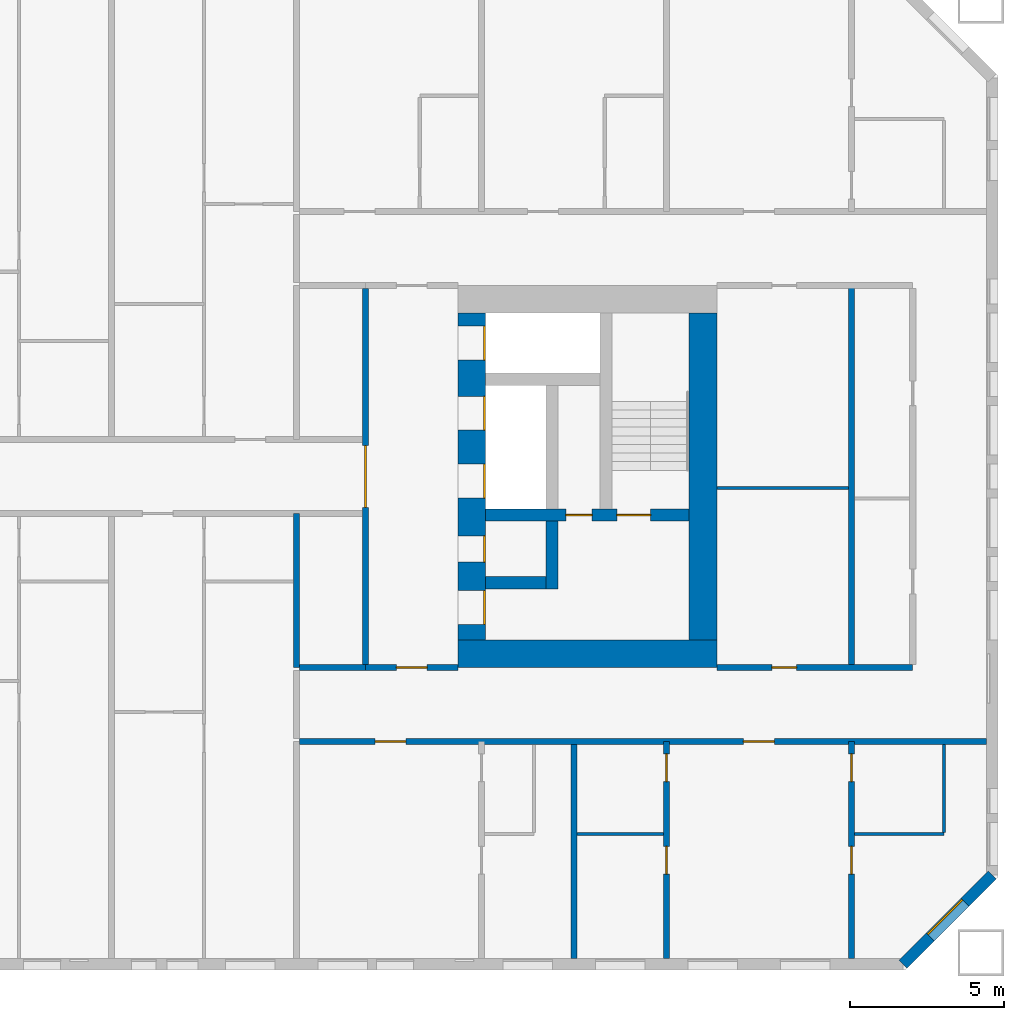
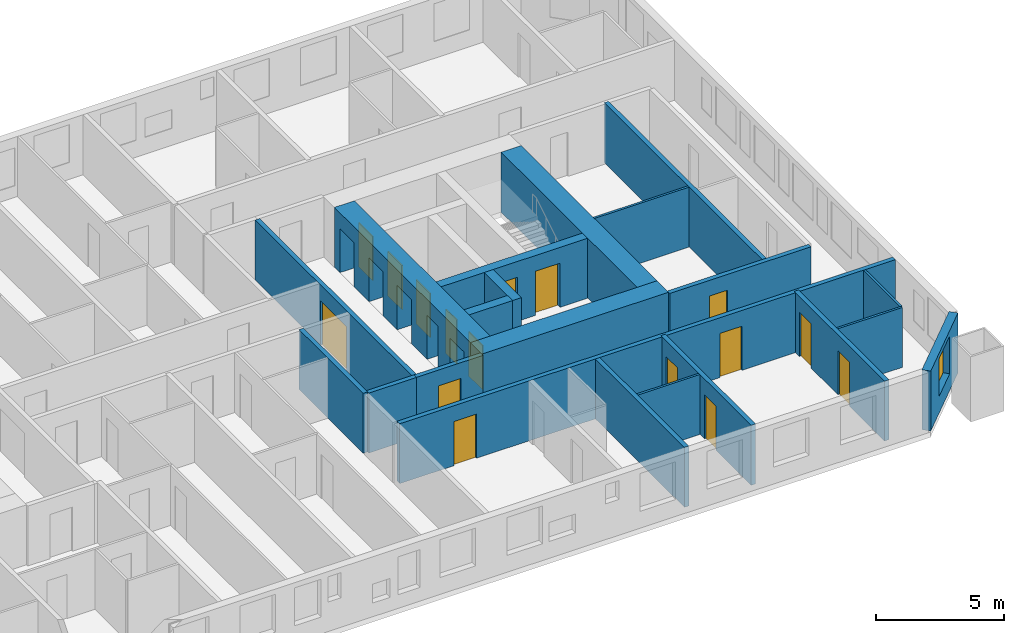
# One storey, part 13 of 18: 21 walls, 16 doors, 1 window, 17 openings.
"""IFC4 building model written with IfcOpenShell, lengths in metres."""

from ifc_helpers import new_model, si_unit, direction, frame, frame_2d, origin, place, context, subcontext, project, spatial, rectangle, extrude, material, layer, layer_set, type_object, element, fill, save


model = new_model("IFC4")

# Units and contexts
model_context = context("Model", 3, precision=1e-05, world=origin(), true_north=direction((0.0, 1.0)))
body_context = subcontext(model_context, "Body", "Model", "MODEL_VIEW")
ifc_project = project(units=[si_unit("LENGTHUNIT", "METRE"), si_unit("AREAUNIT", "SQUARE_METRE"), si_unit("VOLUMEUNIT", "CUBIC_METRE"), si_unit("PLANEANGLEUNIT", "RADIAN"), si_unit("MASSUNIT", "GRAM", prefix="KILO")], contexts=[model_context])

# Site, building, storey
site_placement = place(None, origin())
site = spatial("IfcSite", under=ifc_project, at=site_placement, CompositionType="ELEMENT")
building_placement = place(site_placement, origin())
building = spatial("IfcBuilding", under=site, at=building_placement, Name="Tuart Gate Housing", CompositionType="ELEMENT")
storey_placement = place(building_placement, frame((0.0, 0.0, 31.89990234375)))
storey = spatial("IfcBuildingStorey", under=building, at=storey_placement, Name="L08", CompositionType="ELEMENT", Elevation=31.89990234375)

# Wall, opening, window
ifc_material_1 = material(Name="Brick", Category="masonry")
ifc_layer_1 = layer(ifc_material_1, 0.360107421875)
ifc_layer_set_1 = layer_set([ifc_layer_1], Name="Brick pier and spandrel wall 360")
wall_type_1 = type_object("IfcWallType", Name="Brick pier and spandrel wall 360", PredefinedType="STANDARD", material=ifc_layer_set_1)
wall_1_placement = place(storey_placement, frame((174.67529296875, 54.179931640625, 0.0), z_axis=(0.0, 0.0, 1.0), x_axis=(0.707106781187, 0.707106781187, 0.0)))
wall_1 = element("IfcWall", 1, at=wall_1_placement, inside=storey, type_object=wall_type_1, Name="External wall B-SE L08", PredefinedType="STANDARD", context=body_context, shape_type="SweptSolid", body=[
    extrude(rectangle(XDim=4.09375, YDim=0.360107421875, at=frame_2d((2.046875, 0.0))), origin(), (0.0, 0.0, 1.0), 2.85009765625),
])
opening_1_placement = place(wall_1_placement, frame((1.2470703125, 0.0, 0.800048828125)))
opening_1 = element("IfcOpeningElement", 2, at=opening_1_placement, cuts=wall_1, Name="Opening W1", PredefinedType="OPENING", context=body_context, shape_type="SweptSolid", body=[
    extrude(rectangle(XDim=1.60009765625, YDim=1.800048828125, at=frame_2d((0.800048828125, 0.89990234375))), frame((0.0, 0.18994140625, 0.0), z_axis=(0.0, -1.0, 0.0), x_axis=(1.0, 0.0, 0.0)), (0.0, 0.0, 1.0), 0.380126953125),
])
ifc_material_2 = material(Name="Aluminium frame with clear glass", Category="aluminium")
window_type = type_object("IfcWindowType", Name="Punched window 1600 x 1800", PartitioningType="SINGLE_PANEL", PredefinedType="WINDOW", material=ifc_material_2)
window_placement = place(opening_1_placement, origin())
window = element("IfcWindow", 3, at=window_placement, inside=storey, type_object=window_type, Name="Window W1", OverallHeight=1.800048828125, OverallWidth=1.60009765625, PartitioningType="SINGLE_PANEL", PredefinedType="WINDOW", context=body_context, shape_type="SweptSolid", body=[
    extrude(rectangle(XDim=1.60009765625, YDim=1.800048828125, at=frame_2d((0.800048828125, 0.89990234375))), frame((0.0, 0.150146484375, 0.0), z_axis=(0.0, -1.0, 0.0), x_axis=(1.0, 0.0, 0.0)), (0.0, 0.0, 1.0), 0.06005859375),
])
fill(opening_1, window)

# Wall, openings, doors
ifc_material_3 = material(Name="Concrete C60", Category="concrete")
ifc_layer_2 = layer(ifc_material_3, 0.39990234375)
ifc_layer_set_2 = layer_set([ifc_layer_2], Name="Core wall 400 C60")
wall_type_2 = type_object("IfcWallType", Name="Core wall 400 C60", PredefinedType="SHEAR", material=ifc_layer_set_2)
wall_2_placement = place(storey_placement, frame((161.139892578125, 68.75, 0.0), z_axis=(0.0, 0.0, 1.0), x_axis=(1.0, 0.0, 0.0)))
wall_2 = element("IfcWall", 4, at=wall_2_placement, inside=storey, type_object=wall_type_2, Name="Core wall BK.2", PredefinedType="SHEAR", context=body_context, shape_type="SweptSolid", body=[
    extrude(rectangle(XDim=6.60009765625, YDim=0.39990234375, at=frame_2d((3.300048828125, 0.0))), origin(), (0.0, 0.0, 1.0), 2.85009765625),
])
opening_2_placement = place(wall_2_placement, frame((4.25, 0.0, 0.0)))
opening_2 = element("IfcOpeningElement", 5, at=opening_2_placement, cuts=wall_2, Name="Opening D568", PredefinedType="OPENING", context=body_context, shape_type="SweptSolid", body=[
    extrude(rectangle(XDim=1.10009765625, YDim=2.10009765625, at=frame_2d((0.550048828125, 1.050048828125))), frame((0.0, 0.2099609375, 0.0), z_axis=(0.0, -1.0, 0.0), x_axis=(1.0, 0.0, 0.0)), (0.0, 0.0, 1.0), 0.419921875),
])
opening_3_placement = place(wall_2_placement, frame((2.60009765625, 0.0, 0.0)))
opening_3 = element("IfcOpeningElement", 6, at=opening_3_placement, cuts=wall_2, Name="Opening D567", PredefinedType="OPENING", context=body_context, shape_type="SweptSolid", body=[
    extrude(rectangle(XDim=0.85009765625, YDim=2.10009765625, at=frame_2d((0.425048828125, 1.050048828125))), frame((0.0, 0.2099609375, 0.0), z_axis=(0.0, -1.0, 0.0), x_axis=(1.0, 0.0, 0.0)), (0.0, 0.0, 1.0), 0.419921875),
])
ifc_material_4 = material(Name="Steel fire door", Category="steel")
door_type_1 = type_object("IfcDoorType", Name="Riser door 850 x 2100", OperationType="SINGLE_SWING_LEFT", PredefinedType="DOOR", material=ifc_material_4)
door_1_placement = place(opening_3_placement, origin())
door_1 = element("IfcDoor", 7, at=door_1_placement, inside=storey, type_object=door_type_1, Name="Service room door BK.W1", OperationType="SINGLE_SWING_LEFT", OverallHeight=2.10009765625, OverallWidth=0.85009765625, PredefinedType="DOOR", context=body_context, shape_type="SweptSolid", body=[
    extrude(rectangle(XDim=0.85009765625, YDim=2.10009765625, at=frame_2d((0.425048828125, 1.050048828125))), frame((0.0, 0.02490234375, 0.0), z_axis=(0.0, -1.0, 0.0), x_axis=(1.0, 0.0, 0.0)), (0.0, 0.0, 1.0), 0.050048828125),
])
fill(opening_3, door_1)
ifc_material_5 = material(Name="Steel fire door", Category="steel")
door_type_2 = type_object("IfcDoorType", Name="Stair door 1100 x 2100", OperationType="SINGLE_SWING_LEFT", PredefinedType="DOOR", material=ifc_material_5)
door_2_placement = place(opening_2_placement, origin())
door_2 = element("IfcDoor", 8, at=door_2_placement, inside=storey, type_object=door_type_2, Name="Stair door BK.SD", OperationType="SINGLE_SWING_LEFT", OverallHeight=2.10009765625, OverallWidth=1.10009765625, PredefinedType="DOOR", context=body_context, shape_type="SweptSolid", body=[
    extrude(rectangle(XDim=1.10009765625, YDim=2.10009765625, at=frame_2d((0.550048828125, 1.050048828125))), frame((0.0, 0.02490234375, 0.0), z_axis=(0.0, -1.0, 0.0), x_axis=(1.0, 0.0, 0.0)), (0.0, 0.0, 1.0), 0.050048828125),
])
fill(opening_2, door_2)

# Walls
wall_3_placement = place(storey_placement, frame((161.139892578125, 66.550048828125, 0.0), z_axis=(0.0, 0.0, 1.0), x_axis=(1.0, 0.0, 0.0)))
element("IfcWall", 9, at=wall_3_placement, inside=storey, type_object=wall_type_2, Name="Core wall BK.3", PredefinedType="SHEAR", context=body_context, shape_type="SweptSolid", body=[
    extrude(rectangle(XDim=1.9501953125, YDim=0.39990234375, at=frame_2d((0.97509765625, 0.0))), origin(), (0.0, 0.0, 1.0), 2.85009765625),
])
wall_4_placement = place(storey_placement, frame((163.2900390625, 68.550048828125, 0.0), z_axis=(0.0, 0.0, 1.0), x_axis=(0.0, -1.0, 0.0)))
element("IfcWall", 10, at=wall_4_placement, inside=storey, type_object=wall_type_2, Name="Core wall BK.5", PredefinedType="SHEAR", context=body_context, shape_type="SweptSolid", body=[
    extrude(rectangle(XDim=2.199951171875, YDim=0.39990234375, at=frame_2d((1.10009765625, 0.0))), origin(), (0.0, 0.0, 1.0), 2.85009765625),
])

# Wall, openings, doors
ifc_material_6 = material(Name="Concrete C60", Category="concrete")
ifc_layer_3 = layer(ifc_material_6, 0.89990234375)
ifc_layer_set_3 = layer_set([ifc_layer_3], Name="Core wall 900 C60")
wall_type_3 = type_object("IfcWallType", Name="Core wall 900 C60", PredefinedType="SHEAR", material=ifc_layer_set_3)
wall_5_placement = place(storey_placement, frame((160.68994140625, 75.300048828125, 0.0), z_axis=(0.0, 0.0, 1.0), x_axis=(0.0, -1.0, 0.0)))
wall_5 = element("IfcWall", 11, at=wall_5_placement, inside=storey, type_object=wall_type_3, Name="Core wall BK front", PredefinedType="SHEAR", context=body_context, shape_type="SweptSolid", body=[
    extrude(rectangle(XDim=10.60009765625, YDim=0.89990234375, at=frame_2d((5.300048828125, 0.0))), origin(), (0.0, 0.0, 1.0), 2.85009765625),
])
opening_4_placement = place(wall_5_placement, frame((0.425048828125, 0.0, 0.0)))
opening_4 = element("IfcOpeningElement", 12, at=opening_4_placement, cuts=wall_5, Name="Opening LD-FB2", PredefinedType="OPENING", context=body_context, shape_type="SweptSolid", body=[
    extrude(rectangle(XDim=1.10009765625, YDim=2.10009765625, at=frame_2d((0.550048828125, 1.050048828125))), frame((0.0, 0.4599609375, 0.0), z_axis=(0.0, -1.0, 0.0), x_axis=(1.0, 0.0, 0.0)), (0.0, 0.0, 1.0), 0.919921875),
])
opening_5_placement = place(wall_5_placement, frame((2.699951171875, 0.0, 0.0)))
opening_5 = element("IfcOpeningElement", 13, at=opening_5_placement, cuts=wall_5, Name="Opening LD-LB3", PredefinedType="OPENING", context=body_context, shape_type="SweptSolid", body=[
    extrude(rectangle(XDim=1.10009765625, YDim=2.10009765625, at=frame_2d((0.550048828125, 1.050048828125))), frame((0.0, 0.4599609375, 0.0), z_axis=(0.0, -1.0, 0.0), x_axis=(1.0, 0.0, 0.0)), (0.0, 0.0, 1.0), 0.919921875),
])
opening_6_placement = place(wall_5_placement, frame((4.89990234375, 0.0, 0.0)))
opening_6 = element("IfcOpeningElement", 14, at=opening_6_placement, cuts=wall_5, Name="Opening LD-LB4", PredefinedType="OPENING", context=body_context, shape_type="SweptSolid", body=[
    extrude(rectangle(XDim=1.10009765625, YDim=2.10009765625, at=frame_2d((0.550048828125, 1.050048828125))), frame((0.0, 0.4599609375, 0.0), z_axis=(0.0, -1.0, 0.0), x_axis=(1.0, 0.0, 0.0)), (0.0, 0.0, 1.0), 0.919921875),
])
opening_7_placement = place(wall_5_placement, frame((9.0, 0.0, 0.0)))
opening_7 = element("IfcOpeningElement", 15, at=opening_7_placement, cuts=wall_5, Name="Opening D560", PredefinedType="OPENING", context=body_context, shape_type="SweptSolid", body=[
    extrude(rectangle(XDim=1.10009765625, YDim=2.10009765625, at=frame_2d((0.550048828125, 1.050048828125))), frame((0.0, 0.4599609375, 0.0), z_axis=(0.0, -1.0, 0.0), x_axis=(1.0, 0.0, 0.0)), (0.0, 0.0, 1.0), 0.919921875),
])
opening_8_placement = place(wall_5_placement, frame((7.22509765625, 0.0, 0.0)))
opening_8 = element("IfcOpeningElement", 16, at=opening_8_placement, cuts=wall_5, Name="Opening D561", PredefinedType="OPENING", context=body_context, shape_type="SweptSolid", body=[
    extrude(rectangle(XDim=0.85009765625, YDim=2.10009765625, at=frame_2d((0.425048828125, 1.050048828125))), frame((0.0, 0.4599609375, 0.0), z_axis=(0.0, -1.0, 0.0), x_axis=(1.0, 0.0, 0.0)), (0.0, 0.0, 1.0), 0.919921875),
])
ifc_material_7 = material(Name="Stainless steel", Category="steel")
door_type_3 = type_object("IfcDoorType", Name="Landing door 1100 x 2100", OperationType="DOUBLE_DOOR_SLIDING", PredefinedType="DOOR", material=ifc_material_7)
door_3_placement = place(opening_4_placement, origin())
door_3 = element("IfcDoor", 17, at=door_3_placement, inside=storey, type_object=door_type_3, Name="Lift landing door FB2", OperationType="DOUBLE_DOOR_SLIDING", OverallHeight=2.10009765625, OverallWidth=1.10009765625, PredefinedType="DOOR", context=body_context, shape_type="SweptSolid", body=[
    extrude(rectangle(XDim=1.10009765625, YDim=2.10009765625, at=frame_2d((0.550048828125, 1.050048828125))), frame((0.0, 0.43505859375, 0.0), z_axis=(0.0, -1.0, 0.0), x_axis=(1.0, 0.0, 0.0)), (0.0, 0.0, 1.0), 0.050048828125),
])
fill(opening_4, door_3)
door_4_placement = place(opening_5_placement, origin())
door_4 = element("IfcDoor", 18, at=door_4_placement, inside=storey, type_object=door_type_3, Name="Lift landing door LB3", OperationType="DOUBLE_DOOR_SLIDING", OverallHeight=2.10009765625, OverallWidth=1.10009765625, PredefinedType="DOOR", context=body_context, shape_type="SweptSolid", body=[
    extrude(rectangle(XDim=1.10009765625, YDim=2.10009765625, at=frame_2d((0.550048828125, 1.050048828125))), frame((0.0, 0.43505859375, 0.0), z_axis=(0.0, -1.0, 0.0), x_axis=(1.0, 0.0, 0.0)), (0.0, 0.0, 1.0), 0.050048828125),
])
fill(opening_5, door_4)
door_5_placement = place(opening_6_placement, origin())
door_5 = element("IfcDoor", 19, at=door_5_placement, inside=storey, type_object=door_type_3, Name="Lift landing door LB4", OperationType="DOUBLE_DOOR_SLIDING", OverallHeight=2.10009765625, OverallWidth=1.10009765625, PredefinedType="DOOR", context=body_context, shape_type="SweptSolid", body=[
    extrude(rectangle(XDim=1.10009765625, YDim=2.10009765625, at=frame_2d((0.550048828125, 1.050048828125))), frame((0.0, 0.43505859375, 0.0), z_axis=(0.0, -1.0, 0.0), x_axis=(1.0, 0.0, 0.0)), (0.0, 0.0, 1.0), 0.050048828125),
])
fill(opening_6, door_5)
ifc_material_8 = material(Name="Steel fire door", Category="steel")
door_type_4 = type_object("IfcDoorType", Name="Lobby door 1100 x 2100", OperationType="SINGLE_SWING_LEFT", PredefinedType="DOOR", material=ifc_material_8)
door_6_placement = place(opening_7_placement, origin())
door_6 = element("IfcDoor", 20, at=door_6_placement, inside=storey, type_object=door_type_4, Name="Lobby entry door BK.EN", OperationType="SINGLE_SWING_LEFT", OverallHeight=2.10009765625, OverallWidth=1.10009765625, PredefinedType="DOOR", context=body_context, shape_type="SweptSolid", body=[
    extrude(rectangle(XDim=1.10009765625, YDim=2.10009765625, at=frame_2d((0.550048828125, 1.050048828125))), frame((0.0, 0.43505859375, 0.0), z_axis=(0.0, -1.0, 0.0), x_axis=(1.0, 0.0, 0.0)), (0.0, 0.0, 1.0), 0.050048828125),
])
fill(opening_7, door_6)
ifc_material_9 = material(Name="Steel fire door", Category="steel")
door_type_5 = type_object("IfcDoorType", Name="Service door 850 x 2100", OperationType="SINGLE_SWING_LEFT", PredefinedType="DOOR", material=ifc_material_9)
door_7_placement = place(opening_8_placement, origin())
door_7 = element("IfcDoor", 21, at=door_7_placement, inside=storey, type_object=door_type_5, Name="Service room door BK.T1", OperationType="SINGLE_SWING_LEFT", OverallHeight=2.10009765625, OverallWidth=0.85009765625, PredefinedType="DOOR", context=body_context, shape_type="SweptSolid", body=[
    extrude(rectangle(XDim=0.85009765625, YDim=2.10009765625, at=frame_2d((0.425048828125, 1.050048828125))), frame((0.0, 0.43505859375, 0.0), z_axis=(0.0, -1.0, 0.0), x_axis=(1.0, 0.0, 0.0)), (0.0, 0.0, 1.0), 0.050048828125),
])
fill(opening_8, door_7)

# Walls
wall_6_placement = place(storey_placement, frame((168.18994140625, 75.300048828125, 0.0), z_axis=(0.0, 0.0, 1.0), x_axis=(0.0, -1.0, 0.0)))
element("IfcWall", 22, at=wall_6_placement, inside=storey, type_object=wall_type_3, Name="Core wall BK back", PredefinedType="SHEAR", context=body_context, shape_type="SweptSolid", body=[
    extrude(rectangle(XDim=10.60009765625, YDim=0.89990234375, at=frame_2d((5.300048828125, 0.0))), origin(), (0.0, 0.0, 1.0), 2.85009765625),
])
wall_7_placement = place(storey_placement, frame((160.239990234375, 64.25, 0.0), z_axis=(0.0, 0.0, 1.0), x_axis=(1.0, 0.0, 0.0)))
element("IfcWall", 23, at=wall_7_placement, inside=storey, type_object=wall_type_3, Name="Core wall BK north", PredefinedType="SHEAR", context=body_context, shape_type="SweptSolid", body=[
    extrude(rectangle(XDim=8.39990234375, YDim=0.89990234375, at=frame_2d((4.199951171875, 0.0))), origin(), (0.0, 0.0, 1.0), 2.85009765625),
])

# Wall, openings, doors
ifc_material_10 = material(Name="Concrete masonry 15 MPa", Category="masonry")
ifc_layer_4 = layer(ifc_material_10, 0.199951171875)
ifc_layer_set_4 = layer_set([ifc_layer_4], Name="Corridor wall masonry 200")
wall_type_4 = type_object("IfcWallType", Name="Corridor wall masonry 200", PredefinedType="PARTITIONING", material=ifc_layer_set_4)
wall_8_placement = place(storey_placement, frame((155.10009765625, 61.39990234375, 0.0), z_axis=(0.0, 0.0, 1.0), x_axis=(1.0, 0.0, 0.0)))
wall_8 = element("IfcWall", 24, at=wall_8_placement, inside=storey, type_object=wall_type_4, Name="Corridor wall masonry 200", PredefinedType="PARTITIONING", context=body_context, shape_type="SweptSolid", body=[
    extrude(rectangle(XDim=22.289794921875, YDim=0.199951171875, at=frame_2d((11.14501953125, 0.0))), origin(), (0.0, 0.0, 1.0), 2.85009765625),
])
opening_9_placement = place(wall_8_placement, frame((2.449951171875, 0.0, 0.0)))
opening_9 = element("IfcOpeningElement", 25, at=opening_9_placement, cuts=wall_8, Name="Opening D578", PredefinedType="OPENING", context=body_context, shape_type="SweptSolid", body=[
    extrude(rectangle(XDim=1.0, YDim=2.10009765625, at=frame_2d((0.5, 1.050048828125))), frame((0.0, 0.10986328125, 0.0), z_axis=(0.0, -1.0, 0.0), x_axis=(1.0, 0.0, 0.0)), (0.0, 0.0, 1.0), 0.219970703125),
])
opening_10_placement = place(wall_8_placement, frame((14.39990234375, 0.0, 0.0)))
opening_10 = element("IfcOpeningElement", 26, at=opening_10_placement, cuts=wall_8, Name="Opening D579", PredefinedType="OPENING", context=body_context, shape_type="SweptSolid", body=[
    extrude(rectangle(XDim=1.0, YDim=2.10009765625, at=frame_2d((0.5, 1.050048828125))), frame((0.0, 0.10986328125, 0.0), z_axis=(0.0, -1.0, 0.0), x_axis=(1.0, 0.0, 0.0)), (0.0, 0.0, 1.0), 0.219970703125),
])
ifc_material_11 = material(Name="Timber door leaf in steel frame", Category="steel")
door_type_6 = type_object("IfcDoorType", Name="Flat entrance door 1000", OperationType="SINGLE_SWING_LEFT", PredefinedType="DOOR", material=ifc_material_11)
door_8_placement = place(opening_9_placement, frame((1.0, 0.0, 0.0), z_axis=(0.0, 0.0, 1.0), x_axis=(-1.0, 0.0, 0.0)))
door_8 = element("IfcDoor", 27, at=door_8_placement, inside=storey, type_object=door_type_6, Name="Flat entrance door", OperationType="SINGLE_SWING_LEFT", OverallHeight=2.10009765625, OverallWidth=1.0, PredefinedType="DOOR", context=body_context, shape_type="SweptSolid", body=[
    extrude(rectangle(XDim=1.0, YDim=2.10009765625, at=frame_2d((0.5, 1.050048828125))), frame((0.0, 0.025146484375, 0.0), z_axis=(0.0, -1.0, 0.0), x_axis=(1.0, 0.0, 0.0)), (0.0, 0.0, 1.0), 0.050048828125),
])
fill(opening_9, door_8)
ifc_material_12 = material(Name="Timber door leaf in steel frame", Category="steel")
door_type_7 = type_object("IfcDoorType", Name="Flat entrance door 1000 RH", OperationType="SINGLE_SWING_RIGHT", PredefinedType="DOOR", material=ifc_material_12)
door_9_placement = place(opening_10_placement, frame((1.0, 0.0, 0.0), z_axis=(0.0, 0.0, 1.0), x_axis=(-1.0, 0.0, 0.0)))
door_9 = element("IfcDoor", 28, at=door_9_placement, inside=storey, type_object=door_type_7, Name="Flat entrance door", OperationType="SINGLE_SWING_RIGHT", OverallHeight=2.10009765625, OverallWidth=1.0, PredefinedType="DOOR", context=body_context, shape_type="SweptSolid", body=[
    extrude(rectangle(XDim=1.0, YDim=2.10009765625, at=frame_2d((0.5, 1.050048828125))), frame((0.0, 0.025146484375, 0.0), z_axis=(0.0, -1.0, 0.0), x_axis=(1.0, 0.0, 0.0)), (0.0, 0.0, 1.0), 0.050048828125),
])
fill(opening_10, door_9)

# Wall
wall_9_placement = place(storey_placement, frame((155.10009765625, 63.800048828125, 0.0), z_axis=(0.0, 0.0, 1.0), x_axis=(1.0, 0.0, 0.0)))
element("IfcWall", 29, at=wall_9_placement, inside=storey, type_object=wall_type_4, Name="Corridor wall masonry 200", PredefinedType="PARTITIONING", context=body_context, shape_type="SweptSolid", body=[
    extrude(rectangle(XDim=2.139892578125, YDim=0.199951171875, at=frame_2d((1.06982421875, 0.0))), origin(), (0.0, 0.0, 1.0), 2.85009765625),
])

# Wall, opening, door
wall_10_placement = place(storey_placement, frame((168.639892578125, 63.800048828125, 0.0), z_axis=(0.0, 0.0, 1.0), x_axis=(1.0, 0.0, 0.0)))
wall_10 = element("IfcWall", 30, at=wall_10_placement, inside=storey, type_object=wall_type_4, Name="Corridor wall masonry 200", PredefinedType="PARTITIONING", context=body_context, shape_type="SweptSolid", body=[
    extrude(rectangle(XDim=6.35009765625, YDim=0.199951171875, at=frame_2d((3.175048828125, 0.0))), origin(), (0.0, 0.0, 1.0), 2.85009765625),
])
opening_11_placement = place(wall_10_placement, frame((1.780029296875, 0.0, 0.0)))
opening_11 = element("IfcOpeningElement", 31, at=opening_11_placement, cuts=wall_10, Name="Opening D571", PredefinedType="OPENING", context=body_context, shape_type="SweptSolid", body=[
    extrude(rectangle(XDim=0.800048828125, YDim=2.10009765625, at=frame_2d((0.39990234375, 1.050048828125))), frame((0.0, 0.10986328125, 0.0), z_axis=(0.0, -1.0, 0.0), x_axis=(1.0, 0.0, 0.0)), (0.0, 0.0, 1.0), 0.219970703125),
])
ifc_material_13 = material(Name="Timber door leaf in steel frame", Category="steel")
door_type_8 = type_object("IfcDoorType", Name="Store door 800", OperationType="SINGLE_SWING_LEFT", PredefinedType="DOOR", material=ifc_material_13)
door_10_placement = place(opening_11_placement, origin())
door_10 = element("IfcDoor", 32, at=door_10_placement, inside=storey, type_object=door_type_8, Name="Store door", OperationType="SINGLE_SWING_LEFT", OverallHeight=2.10009765625, OverallWidth=0.800048828125, PredefinedType="DOOR", context=body_context, shape_type="SweptSolid", body=[
    extrude(rectangle(XDim=0.800048828125, YDim=2.10009765625, at=frame_2d((0.39990234375, 1.050048828125))), frame((0.0, 0.02490234375, 0.0), z_axis=(0.0, -1.0, 0.0), x_axis=(1.0, 0.0, 0.0)), (0.0, 0.0, 1.0), 0.050048828125),
])
fill(opening_11, door_10)

ifc_material_14 = material(Name="Concrete masonry 15 MPa", Category="masonry")
ifc_layer_5 = layer(ifc_material_14, 0.199951171875)
ifc_layer_set_5 = layer_set([ifc_layer_5], Name="Enclosure wall masonry 200")
wall_type_5 = type_object("IfcWallType", Name="Enclosure wall masonry 200", PredefinedType="PARTITIONING", material=ifc_layer_set_5)
wall_11_placement = place(storey_placement, frame((157.239990234375, 63.800048828125, 0.0), z_axis=(0.0, 0.0, 1.0), x_axis=(1.0, 0.0, 0.0)))
wall_11 = element("IfcWall", 33, at=wall_11_placement, inside=storey, type_object=wall_type_5, Name="Enclosure wall masonry 200", PredefinedType="PARTITIONING", context=body_context, shape_type="SweptSolid", body=[
    extrude(rectangle(XDim=3.0, YDim=0.199951171875, at=frame_2d((1.5, 0.0))), origin(), (0.0, 0.0, 1.0), 2.85009765625),
])
opening_12_placement = place(wall_11_placement, frame((1.0, 0.0, 0.0)))
opening_12 = element("IfcOpeningElement", 34, at=opening_12_placement, cuts=wall_11, Name="Opening D570", PredefinedType="OPENING", context=body_context, shape_type="SweptSolid", body=[
    extrude(rectangle(XDim=1.0, YDim=2.10009765625, at=frame_2d((0.5, 1.050048828125))), frame((0.0, 0.10986328125, 0.0), z_axis=(0.0, -1.0, 0.0), x_axis=(1.0, 0.0, 0.0)), (0.0, 0.0, 1.0), 0.219970703125),
])
ifc_material_15 = material(Name="Timber door leaf in steel frame", Category="steel")
door_type_9 = type_object("IfcDoorType", Name="Fire door 1000 RH", OperationType="SINGLE_SWING_RIGHT", PredefinedType="DOOR", material=ifc_material_15)
door_11_placement = place(opening_12_placement, frame((1.0, 0.0, 0.0), z_axis=(0.0, 0.0, 1.0), x_axis=(-1.0, 0.0, 0.0)))
door_11 = element("IfcDoor", 35, at=door_11_placement, inside=storey, type_object=door_type_9, Name="Fire door", OperationType="SINGLE_SWING_RIGHT", OverallHeight=2.10009765625, OverallWidth=1.0, PredefinedType="DOOR", context=body_context, shape_type="SweptSolid", body=[
    extrude(rectangle(XDim=1.0, YDim=2.10009765625, at=frame_2d((0.5, 1.050048828125))), frame((0.0, 0.025146484375, 0.0), z_axis=(0.0, -1.0, 0.0), x_axis=(1.0, 0.0, 0.0)), (0.0, 0.0, 1.0), 0.050048828125),
])
fill(opening_12, door_11)

ifc_material_16 = material(Name="Plasterboard partition")
ifc_layer_6 = layer(ifc_material_16, 0.199951171875)
ifc_layer_set_6 = layer_set([ifc_layer_6], Name="Lobby wall 200")
wall_type_6 = type_object("IfcWallType", Name="Lobby wall 200", PredefinedType="PARTITIONING", material=ifc_layer_set_6)
wall_12_placement = place(storey_placement, frame((157.239990234375, 63.89990234375, 0.0), z_axis=(0.0, 0.0, 1.0), x_axis=(0.0, 1.0, 0.0)))
wall_12 = element("IfcWall", 36, at=wall_12_placement, inside=storey, type_object=wall_type_6, Name="Lift lobby wall BK", PredefinedType="PARTITIONING", context=body_context, shape_type="SweptSolid", body=[
    extrude(rectangle(XDim=12.2001953125, YDim=0.199951171875, at=frame_2d((6.10009765625, 0.0))), origin(), (0.0, 0.0, 1.0), 2.85009765625),
])
opening_13_placement = place(wall_12_placement, frame((5.10009765625, 0.0, 0.0)))
opening_13 = element("IfcOpeningElement", 37, at=opening_13_placement, cuts=wall_12, Name="Opening D559", PredefinedType="OPENING", context=body_context, shape_type="SweptSolid", body=[
    extrude(rectangle(XDim=2.0, YDim=2.10009765625, at=frame_2d((1.0, 1.050048828125))), frame((0.0, 0.10986328125, 0.0), z_axis=(0.0, -1.0, 0.0), x_axis=(1.0, 0.0, 0.0)), (0.0, 0.0, 1.0), 0.219970703125),
])
ifc_material_17 = material(Name="Steel fire door", Category="steel")
door_type_10 = type_object("IfcDoorType", Name="Smoke door 2000 x 2100", OperationType="DOUBLE_DOOR_SINGLE_SWING", PredefinedType="DOOR", material=ifc_material_17)
door_12_placement = place(opening_13_placement, frame((2.0, 0.0, 0.0), z_axis=(0.0, 0.0, 1.0), x_axis=(-1.0, 0.0, 0.0)))
door_12 = element("IfcDoor", 38, at=door_12_placement, inside=storey, type_object=door_type_10, Name="Lift lobby smoke door BK", OperationType="DOUBLE_DOOR_SINGLE_SWING", OverallHeight=2.10009765625, OverallWidth=2.0, PredefinedType="DOOR", context=body_context, shape_type="SweptSolid", body=[
    extrude(rectangle(XDim=2.0, YDim=2.10009765625, at=frame_2d((1.0, 1.050048828125))), frame((0.0, 0.025146484375, 0.0), z_axis=(0.0, -1.0, 0.0), x_axis=(1.0, 0.0, 0.0)), (0.0, 0.0, 1.0), 0.050048828125),
])
fill(opening_13, door_12)

# Walls
ifc_material_18 = material(Name="Gypsum board on steel studs", Category="steel")
ifc_layer_7 = layer(ifc_material_18, 0.10009765625)
ifc_layer_set_7 = layer_set([ifc_layer_7], Name="Partition 100")
wall_type_7 = type_object("IfcWallType", Name="Partition 100", PredefinedType="PARTITIONING", material=ifc_layer_set_7)
wall_13_placement = place(storey_placement, frame((164.10009765625, 58.39990234375, 0.0), z_axis=(0.0, 0.0, 1.0), x_axis=(1.0, 0.0, 0.0)))
element("IfcWall", 39, at=wall_13_placement, inside=storey, type_object=wall_type_7, Name="Partition 100", PredefinedType="PARTITIONING", context=body_context, shape_type="SweptSolid", body=[
    extrude(rectangle(XDim=2.7998046875, YDim=0.10009765625, at=frame_2d((1.39990234375, 0.0))), origin(), (0.0, 0.0, 1.0), 2.85009765625),
])
wall_14_placement = place(storey_placement, frame((173.10009765625, 58.39990234375, 0.0), z_axis=(0.0, 0.0, 1.0), x_axis=(1.0, 0.0, 0.0)))
element("IfcWall", 40, at=wall_14_placement, inside=storey, type_object=wall_type_7, Name="Partition 100", PredefinedType="PARTITIONING", context=body_context, shape_type="SweptSolid", body=[
    extrude(rectangle(XDim=2.89990234375, YDim=0.10009765625, at=frame_2d((1.449951171875, 0.0))), origin(), (0.0, 0.0, 1.0), 2.85009765625),
])
wall_15_placement = place(storey_placement, frame((168.639892578125, 69.6298828125, 0.0), z_axis=(0.0, 0.0, 1.0), x_axis=(1.0, 0.0, 0.0)))
element("IfcWall", 41, at=wall_15_placement, inside=storey, type_object=wall_type_7, Name="Partition 100", PredefinedType="PARTITIONING", context=body_context, shape_type="SweptSolid", body=[
    extrude(rectangle(XDim=4.260009765625, YDim=0.10009765625, at=frame_2d((2.1298828125, 0.0))), origin(), (0.0, 0.0, 1.0), 2.85009765625),
])
wall_16_placement = place(storey_placement, frame((176.0, 58.449951171875, 0.0), z_axis=(0.0, 0.0, 1.0), x_axis=(0.0, 1.0, 0.0)))
element("IfcWall", 42, at=wall_16_placement, inside=storey, type_object=wall_type_7, Name="Partition 100", PredefinedType="PARTITIONING", context=body_context, shape_type="SweptSolid", body=[
    extrude(rectangle(XDim=2.85009765625, YDim=0.10009765625, at=frame_2d((1.425048828125, 0.0))), origin(), (0.0, 0.0, 1.0), 2.85009765625),
])
ifc_material_19 = material(Name="Concrete C40", Category="concrete")
ifc_layer_8 = layer(ifc_material_19, 0.199951171875)
ifc_layer_set_8 = layer_set([ifc_layer_8], Name="Party wall concrete C40 200")
wall_type_8 = type_object("IfcWallType", Name="Party wall concrete C40 200", PredefinedType="SOLIDWALL", material=ifc_layer_set_8)
wall_17_placement = place(storey_placement, frame((155.0, 63.800048828125, 0.0), z_axis=(0.0, 0.0, 1.0), x_axis=(0.0, 1.0, 0.0)))
element("IfcWall", 43, at=wall_17_placement, inside=storey, type_object=wall_type_8, Name="Party wall concrete C40 200", PredefinedType="SOLIDWALL", context=body_context, shape_type="SweptSolid", body=[
    extrude(rectangle(XDim=5.0, YDim=0.199951171875, at=frame_2d((2.5, 0.0))), origin(), (0.0, 0.0, 1.0), 2.85009765625),
])

# Wall, openings, doors
wall_18_placement = place(storey_placement, frame((167.0, 54.360107421875, 0.0), z_axis=(0.0, 0.0, 1.0), x_axis=(0.0, 1.0, 0.0)))
wall_18 = element("IfcWall", 44, at=wall_18_placement, inside=storey, type_object=wall_type_8, Name="Party wall concrete C40 200", PredefinedType="SOLIDWALL", context=body_context, shape_type="SweptSolid", body=[
    extrude(rectangle(XDim=7.039794921875, YDim=0.199951171875, at=frame_2d((3.52001953125, 0.0))), origin(), (0.0, 0.0, 1.0), 2.85009765625),
])
opening_14_placement = place(wall_18_placement, frame((2.739990234375, 0.0, 0.0)))
opening_14 = element("IfcOpeningElement", 45, at=opening_14_placement, cuts=wall_18, Name="Opening D587", PredefinedType="OPENING", context=body_context, shape_type="SweptSolid", body=[
    extrude(rectangle(XDim=0.89990234375, YDim=2.10009765625, at=frame_2d((0.449951171875, 1.050048828125))), frame((0.0, 0.10986328125, 0.0), z_axis=(0.0, -1.0, 0.0), x_axis=(1.0, 0.0, 0.0)), (0.0, 0.0, 1.0), 0.219970703125),
])
opening_15_placement = place(wall_18_placement, frame((5.739990234375, 0.0, 0.0)))
opening_15 = element("IfcOpeningElement", 46, at=opening_15_placement, cuts=wall_18, Name="Opening D586", PredefinedType="OPENING", context=body_context, shape_type="SweptSolid", body=[
    extrude(rectangle(XDim=0.89990234375, YDim=2.10009765625, at=frame_2d((0.449951171875, 1.050048828125))), frame((0.0, 0.10986328125, 0.0), z_axis=(0.0, -1.0, 0.0), x_axis=(1.0, 0.0, 0.0)), (0.0, 0.0, 1.0), 0.219970703125),
])
ifc_material_20 = material(Name="Timber door leaf in steel frame", Category="steel")
door_type_11 = type_object("IfcDoorType", Name="Bathroom door 900 RH", OperationType="SINGLE_SWING_RIGHT", PredefinedType="DOOR", material=ifc_material_20)
door_13_placement = place(opening_15_placement, origin())
door_13 = element("IfcDoor", 47, at=door_13_placement, inside=storey, type_object=door_type_11, Name="Bathroom door", OperationType="SINGLE_SWING_RIGHT", OverallHeight=2.10009765625, OverallWidth=0.89990234375, PredefinedType="DOOR", context=body_context, shape_type="SweptSolid", body=[
    extrude(rectangle(XDim=0.89990234375, YDim=2.10009765625, at=frame_2d((0.449951171875, 1.050048828125))), frame((0.0, 0.02490234375, 0.0), z_axis=(0.0, -1.0, 0.0), x_axis=(1.0, 0.0, 0.0)), (0.0, 0.0, 1.0), 0.050048828125),
])
fill(opening_15, door_13)
ifc_material_21 = material(Name="Timber door leaf in steel frame", Category="steel")
door_type_12 = type_object("IfcDoorType", Name="Internal door 900 RH", OperationType="SINGLE_SWING_RIGHT", PredefinedType="DOOR", material=ifc_material_21)
door_14_placement = place(opening_14_placement, origin())
door_14 = element("IfcDoor", 48, at=door_14_placement, inside=storey, type_object=door_type_12, Name="Internal door", OperationType="SINGLE_SWING_RIGHT", OverallHeight=2.10009765625, OverallWidth=0.89990234375, PredefinedType="DOOR", context=body_context, shape_type="SweptSolid", body=[
    extrude(rectangle(XDim=0.89990234375, YDim=2.10009765625, at=frame_2d((0.449951171875, 1.050048828125))), frame((0.0, 0.02490234375, 0.0), z_axis=(0.0, -1.0, 0.0), x_axis=(1.0, 0.0, 0.0)), (0.0, 0.0, 1.0), 0.050048828125),
])
fill(opening_14, door_14)

wall_19_placement = place(storey_placement, frame((173.0, 54.360107421875, 0.0), z_axis=(0.0, 0.0, 1.0), x_axis=(0.0, 1.0, 0.0)))
wall_19 = element("IfcWall", 49, at=wall_19_placement, inside=storey, type_object=wall_type_8, Name="Party wall concrete C40 200", PredefinedType="SOLIDWALL", context=body_context, shape_type="SweptSolid", body=[
    extrude(rectangle(XDim=7.039794921875, YDim=0.199951171875, at=frame_2d((3.52001953125, 0.0))), origin(), (0.0, 0.0, 1.0), 2.85009765625),
])
opening_16_placement = place(wall_19_placement, frame((2.739990234375, 0.0, 0.0)))
opening_16 = element("IfcOpeningElement", 50, at=opening_16_placement, cuts=wall_19, Name="Opening D589", PredefinedType="OPENING", context=body_context, shape_type="SweptSolid", body=[
    extrude(rectangle(XDim=0.89990234375, YDim=2.10009765625, at=frame_2d((0.449951171875, 1.050048828125))), frame((0.0, 0.10986328125, 0.0), z_axis=(0.0, -1.0, 0.0), x_axis=(1.0, 0.0, 0.0)), (0.0, 0.0, 1.0), 0.219970703125),
])
opening_17_placement = place(wall_19_placement, frame((5.739990234375, 0.0, 0.0)))
opening_17 = element("IfcOpeningElement", 51, at=opening_17_placement, cuts=wall_19, Name="Opening D588", PredefinedType="OPENING", context=body_context, shape_type="SweptSolid", body=[
    extrude(rectangle(XDim=0.89990234375, YDim=2.10009765625, at=frame_2d((0.449951171875, 1.050048828125))), frame((0.0, 0.10986328125, 0.0), z_axis=(0.0, -1.0, 0.0), x_axis=(1.0, 0.0, 0.0)), (0.0, 0.0, 1.0), 0.219970703125),
])
ifc_material_22 = material(Name="Timber door leaf in steel frame", Category="steel")
door_type_13 = type_object("IfcDoorType", Name="Bathroom door 900", OperationType="SINGLE_SWING_LEFT", PredefinedType="DOOR", material=ifc_material_22)
door_15_placement = place(opening_17_placement, frame((0.89990234375, 0.0, 0.0), z_axis=(0.0, 0.0, 1.0), x_axis=(-1.0, 0.0, 0.0)))
door_15 = element("IfcDoor", 52, at=door_15_placement, inside=storey, type_object=door_type_13, Name="Bathroom door", OperationType="SINGLE_SWING_LEFT", OverallHeight=2.10009765625, OverallWidth=0.89990234375, PredefinedType="DOOR", context=body_context, shape_type="SweptSolid", body=[
    extrude(rectangle(XDim=0.89990234375, YDim=2.10009765625, at=frame_2d((0.449951171875, 1.050048828125))), frame((0.0, 0.025146484375, 0.0), z_axis=(0.0, -1.0, 0.0), x_axis=(1.0, 0.0, 0.0)), (0.0, 0.0, 1.0), 0.050048828125),
])
fill(opening_17, door_15)
ifc_material_23 = material(Name="Timber door leaf in steel frame", Category="steel")
door_type_14 = type_object("IfcDoorType", Name="Internal door 900", OperationType="SINGLE_SWING_LEFT", PredefinedType="DOOR", material=ifc_material_23)
door_16_placement = place(opening_16_placement, frame((0.89990234375, 0.0, 0.0), z_axis=(0.0, 0.0, 1.0), x_axis=(-1.0, 0.0, 0.0)))
door_16 = element("IfcDoor", 53, at=door_16_placement, inside=storey, type_object=door_type_14, Name="Internal door", OperationType="SINGLE_SWING_LEFT", OverallHeight=2.10009765625, OverallWidth=0.89990234375, PredefinedType="DOOR", context=body_context, shape_type="SweptSolid", body=[
    extrude(rectangle(XDim=0.89990234375, YDim=2.10009765625, at=frame_2d((0.449951171875, 1.050048828125))), frame((0.0, 0.025146484375, 0.0), z_axis=(0.0, -1.0, 0.0), x_axis=(1.0, 0.0, 0.0)), (0.0, 0.0, 1.0), 0.050048828125),
])
fill(opening_16, door_16)

# Walls
wall_20_placement = place(storey_placement, frame((173.0, 63.800048828125, 0.0), z_axis=(0.0, 0.0, 1.0), x_axis=(0.0, 1.0, 0.0)))
element("IfcWall", 54, at=wall_20_placement, inside=storey, type_object=wall_type_8, Name="Party wall concrete C40 200", PredefinedType="SOLIDWALL", context=body_context, shape_type="SweptSolid", body=[
    extrude(rectangle(XDim=12.39990234375, YDim=0.199951171875, at=frame_2d((6.199951171875, 0.0))), origin(), (0.0, 0.0, 1.0), 2.85009765625),
])
ifc_material_24 = material(Name="Concrete masonry 15 MPa", Category="masonry")
ifc_layer_9 = layer(ifc_material_24, 0.199951171875)
ifc_layer_set_9 = layer_set([ifc_layer_9], Name="Party wall masonry 200")
wall_type_9 = type_object("IfcWallType", Name="Party wall masonry 200", PredefinedType="PARTITIONING", material=ifc_layer_set_9)
wall_21_placement = place(storey_placement, frame((164.0, 54.360107421875, 0.0), z_axis=(0.0, 0.0, 1.0), x_axis=(0.0, 1.0, 0.0)))
element("IfcWall", 55, at=wall_21_placement, inside=storey, type_object=wall_type_9, Name="Party wall masonry 200", PredefinedType="PARTITIONING", context=body_context, shape_type="SweptSolid", body=[
    extrude(rectangle(XDim=6.93994140625, YDim=0.199951171875, at=frame_2d((3.469970703125, 0.0))), origin(), (0.0, 0.0, 1.0), 2.85009765625),
])

save(model, "model.ifc")
